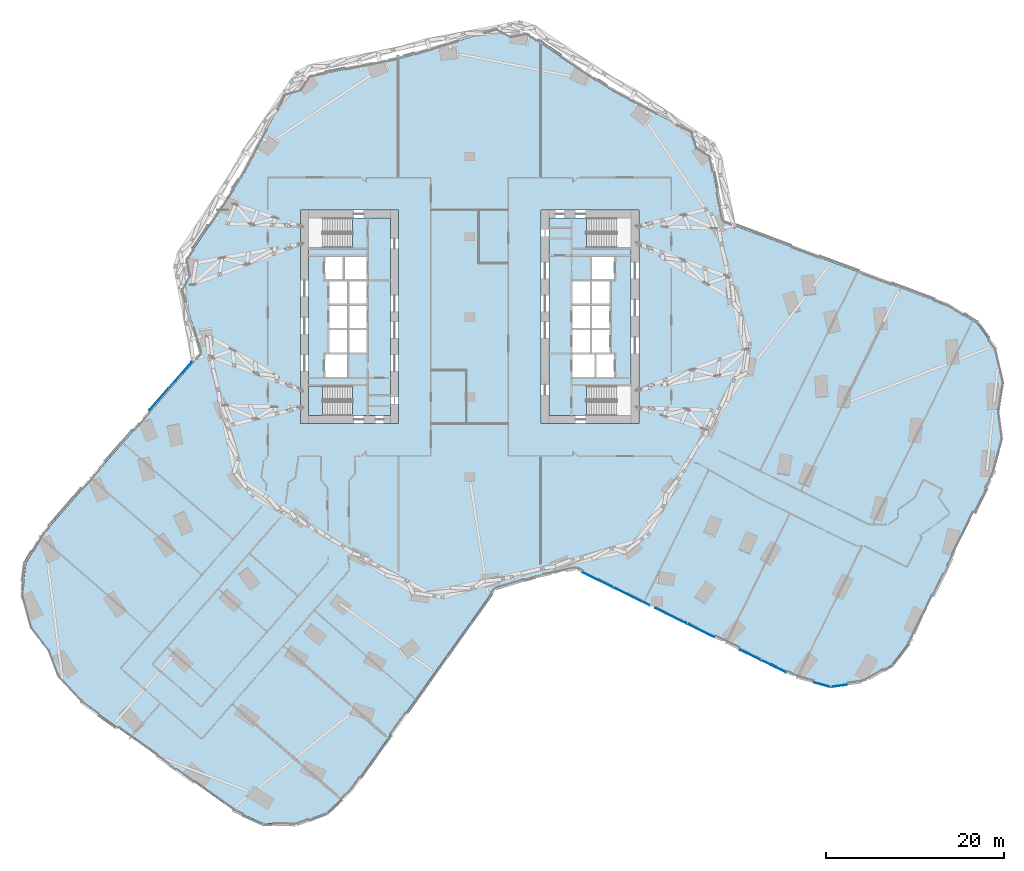
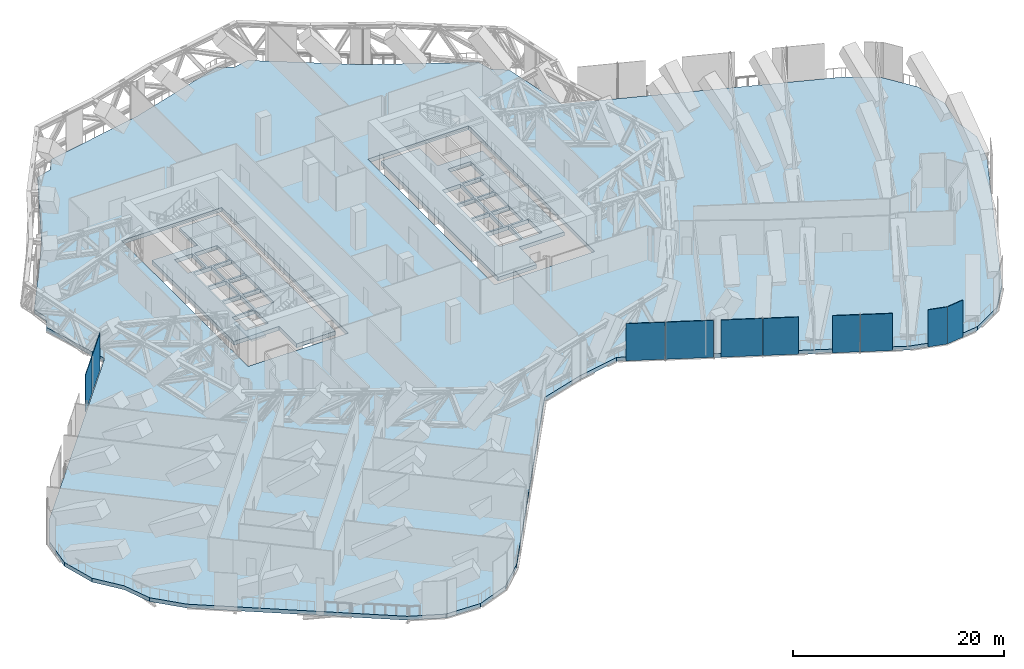
# One storey, part 19 of 34: 10 plates, 4 slabs, 5 elements without a shape of their own.
"""IFC4 building model written with IfcOpenShell, lengths in metres."""

from ifc_helpers import new_model, si_unit, direction, frame, origin, origin_2d, place, context, subcontext, project, spatial, polyline, rectangle, outline, extrude, material, layer, layer_set, type_object, element, aggregate, save


model = new_model("IFC4")

# Units and contexts
model_context = context("Model", 3, precision=1e-05, world=origin(), true_north=direction((0.0, 1.0)))
body_context = subcontext(model_context, "Body", "Model", "MODEL_VIEW")
ifc_project = project(units=[si_unit("LENGTHUNIT", "METRE"), si_unit("AREAUNIT", "SQUARE_METRE"), si_unit("VOLUMEUNIT", "CUBIC_METRE"), si_unit("PLANEANGLEUNIT", "RADIAN"), si_unit("MASSUNIT", "GRAM", prefix="KILO")], contexts=[model_context])

# Site, building, storey
site_placement = place(None, origin())
site = spatial("IfcSite", under=ifc_project, at=site_placement, CompositionType="ELEMENT")
building_placement = place(site_placement, origin())
building = spatial("IfcBuilding", under=site, at=building_placement, Name="Orlundy Tower", CompositionType="ELEMENT")
storey_placement = place(building_placement, frame((0.0, 0.0, 76.300048828125)))
storey = spatial("IfcBuildingStorey", under=building, at=storey_placement, Name="L18", CompositionType="ELEMENT", Elevation=76.300048828125)

# Curtain wall, plate
ifc_material_1 = material(Name="Aluminium bronze anodised", Category="aluminium")
curtain_wall_type = type_object("IfcCurtainWallType", Name="CW4 wall", PredefinedType="NOTDEFINED", material=ifc_material_1)
curtain_wall_1_placement = place(storey_placement, origin())
curtain_wall_1 = element("IfcCurtainWall", 1, at=curtain_wall_1_placement, inside=storey, type_object=curtain_wall_type, Name="CW4 run 025", PredefinedType="NOTDEFINED")
ifc_material_2 = material(Name="Louvre aluminium bronze anodised", Category="aluminium")
ifc_layer_1 = layer(ifc_material_2, 0.06005859375)
ifc_layer_set_1 = layer_set([ifc_layer_1], Name="CW4 louvre panel 60")
plate_type = type_object("IfcPlateType", Name="CW4 louvre panel 60", PredefinedType="CURTAIN_PANEL", material=ifc_layer_set_1)
plate_1_placement = place(storey_placement, frame((41.435546875, -41.446533203125, -0.30029296875), z_axis=(0.0, 0.0, 1.0), x_axis=(-0.991227900682, -0.132163720098, 0.0)))
plate_1 = element("IfcPlate", 2, at=plate_1_placement, type_object=plate_type, Name="CW4 louvre", PredefinedType="CURTAIN_PANEL", context=body_context, shape_type="SweptSolid", body=[
    extrude(rectangle(XDim=1.83935546875, YDim=0.06005859375, at=origin_2d()), origin(), (0.0, 0.0, 1.0), 4.300048828125),
])
aggregate(curtain_wall_1, [plate_1])

curtain_wall_2_placement = place(storey_placement, origin())
curtain_wall_2 = element("IfcCurtainWall", 3, at=curtain_wall_2_placement, inside=storey, type_object=curtain_wall_type, Name="CW4 run 026", PredefinedType="NOTDEFINED")
plate_2_placement = place(storey_placement, frame((39.606689453125, -41.323486328125, -0.30029296875), z_axis=(0.0, 0.0, 1.0), x_axis=(-0.966230461093, 0.25767944438, 0.0)))
plate_2 = element("IfcPlate", 4, at=plate_2_placement, type_object=plate_type, Name="CW4 louvre", PredefinedType="CURTAIN_PANEL", context=body_context, shape_type="SweptSolid", body=[
    extrude(rectangle(XDim=1.898681640625, YDim=0.06005859375, at=origin_2d()), origin(), (0.0, 0.0, 1.0), 4.300048828125),
])
aggregate(curtain_wall_2, [plate_2])

# Curtain wall, plates
curtain_wall_3_placement = place(storey_placement, origin())
curtain_wall_3 = element("IfcCurtainWall", 5, at=curtain_wall_3_placement, inside=storey, type_object=curtain_wall_type, Name="CW4 run 027", PredefinedType="NOTDEFINED")
plate_3_placement = place(storey_placement, frame((34.125, -39.239501953125, -0.30029296875), z_axis=(0.0, 0.0, 1.0), x_axis=(-0.897522339484, 0.440968989984, 0.0)))
plate_3 = element("IfcPlate", 6, at=plate_3_placement, type_object=plate_type, Name="CW4 louvre", PredefinedType="CURTAIN_PANEL", context=body_context, shape_type="SweptSolid", body=[
    extrude(rectangle(XDim=3.064453125, YDim=0.06005859375, at=origin_2d()), origin(), (0.0, 0.0, 1.0), 4.300048828125),
])
plate_4_placement = place(storey_placement, frame((31.534423828125, -37.966552734375, -0.30029296875), z_axis=(0.0, 0.0, 1.0), x_axis=(-0.897522339484, 0.440968989984, 0.0)))
plate_4 = element("IfcPlate", 7, at=plate_4_placement, type_object=plate_type, Name="CW4 louvre", PredefinedType="CURTAIN_PANEL", context=body_context, shape_type="SweptSolid", body=[
    extrude(rectangle(XDim=2.588623046875, YDim=0.06005859375, at=origin_2d()), origin(), (0.0, 0.0, 1.0), 4.300048828125),
])
plate_5_placement = place(storey_placement, frame((25.956787109375, -35.226318359375, -0.30029296875), z_axis=(0.0, 0.0, 1.0), x_axis=(-0.897522339484, 0.440968989984, 0.0)))
plate_5 = element("IfcPlate", 8, at=plate_5_placement, type_object=plate_type, Name="CW4 louvre", PredefinedType="CURTAIN_PANEL", context=body_context, shape_type="SweptSolid", body=[
    extrude(rectangle(XDim=3.385498046875, YDim=0.06005859375, at=origin_2d()), origin(), (0.0, 0.0, 1.0), 4.300048828125),
])
plate_6_placement = place(storey_placement, frame((22.613525390625, -33.583740234375, -0.30029296875), z_axis=(0.0, 0.0, 1.0), x_axis=(-0.897522339484, 0.440968989984, 0.0)))
plate_6 = element("IfcPlate", 9, at=plate_6_placement, type_object=plate_type, Name="CW4 louvre", PredefinedType="CURTAIN_PANEL", context=body_context, shape_type="SweptSolid", body=[
    extrude(rectangle(XDim=3.9443359375, YDim=0.06005859375, at=origin_2d()), origin(), (0.0, 0.0, 1.0), 4.300048828125),
])
plate_7_placement = place(storey_placement, frame((18.1689453125, -31.400146484375, -0.30029296875), z_axis=(0.0, 0.0, 1.0), x_axis=(-0.897522339484, 0.440968989984, 0.0)))
plate_7 = element("IfcPlate", 10, at=plate_7_placement, type_object=plate_type, Name="CW4 louvre", PredefinedType="CURTAIN_PANEL", context=body_context, shape_type="SweptSolid", body=[
    extrude(rectangle(XDim=4.5546875, YDim=0.06005859375, at=origin_2d()), origin(), (0.0, 0.0, 1.0), 4.300048828125),
])
plate_8_placement = place(storey_placement, frame((14.40673828125, -29.551513671875, -0.30029296875), z_axis=(0.0, 0.0, 1.0), x_axis=(-0.897522339484, 0.440968989984, 0.0)))
plate_8 = element("IfcPlate", 11, at=plate_8_placement, type_object=plate_type, Name="CW4 louvre", PredefinedType="CURTAIN_PANEL", context=body_context, shape_type="SweptSolid", body=[
    extrude(rectangle(XDim=3.709228515625, YDim=0.06005859375, at=origin_2d()), origin(), (0.0, 0.0, 1.0), 4.300048828125),
])
aggregate(curtain_wall_3, [plate_3, plate_4, plate_5, plate_6, plate_7, plate_8])

curtain_wall_4_placement = place(storey_placement, origin())
curtain_wall_4 = element("IfcCurtainWall", 12, at=curtain_wall_4_placement, inside=storey, type_object=curtain_wall_type, Name="CW4 run 042", PredefinedType="NOTDEFINED")
plate_9_placement = place(storey_placement, frame((-34.89306640625, -9.26318359375, -0.30029296875), z_axis=(0.0, 0.0, 1.0), x_axis=(0.658266898078, 0.752784624507, 0.0)))
plate_9 = element("IfcPlate", 13, at=plate_9_placement, type_object=plate_type, Name="CW4 louvre", PredefinedType="CURTAIN_PANEL", context=body_context, shape_type="SweptSolid", body=[
    extrude(rectangle(XDim=3.1923828125, YDim=0.06005859375, at=origin_2d()), origin(), (0.0, 0.0, 1.0), 4.300048828125),
])
plate_10_placement = place(storey_placement, frame((-32.50830078125, -6.5361328125, -0.30029296875), z_axis=(0.0, 0.0, 1.0), x_axis=(0.658266898078, 0.752784624507, 0.0)))
plate_10 = element("IfcPlate", 14, at=plate_10_placement, type_object=plate_type, Name="CW4 louvre", PredefinedType="CURTAIN_PANEL", context=body_context, shape_type="SweptSolid", body=[
    extrude(rectangle(XDim=3.93310546875, YDim=0.06005859375, at=origin_2d()), origin(), (0.0, 0.0, 1.0), 4.300048828125),
])
aggregate(curtain_wall_4, [plate_9, plate_10])

# Slabs
ifc_material_3 = material(Name="Concrete C50/60", Category="concrete")
ifc_layer_2 = layer(ifc_material_3, 0.449951171875)
ifc_layer_set_2 = layer_set([ifc_layer_2], Name="Core Floor Slab 450")
slab_type_1 = type_object("IfcSlabType", Name="Core Floor Slab 450", PredefinedType="FLOOR", material=ifc_layer_set_2)
slab_1_placement = place(storey_placement, frame((0.0, 0.0, -0.449951171875)))
element("IfcSlab", 15, at=slab_1_placement, inside=storey, type_object=slab_type_1, Name="Core floor W15", PredefinedType="FLOOR", context=body_context, shape_type="SweptSolid", body=[
    extrude(outline(polyline([(-13.14501953125, 7.75), (-13.14501953125, 11.10009765625), (-8.89990234375, 11.10009765625), (-8.89990234375, -11.10009765625), (-13.14501953125, -11.10009765625), (-13.14501953125, -7.75), (-18.10009765625, -7.75), (-18.10009765625, 7.75), (-13.14501953125, 7.75)]), holes=[polyline([(-16.239990234375, -6.77490234375), (-13.739990234375, -6.77490234375), (-13.739990234375, -4.22509765625), (-16.239990234375, -4.22509765625), (-16.239990234375, -6.77490234375)]), polyline([(-13.5400390625, -1.47509765625), (-13.5400390625, -4.02490234375), (-11.5400390625, -4.02490234375), (-11.5400390625, -1.47509765625), (-13.5400390625, -1.47509765625)]), polyline([(-13.739990234375, -1.47509765625), (-15.739990234375, -1.47509765625), (-15.739990234375, -4.02490234375), (-13.739990234375, -4.02490234375), (-13.739990234375, -1.47509765625)]), polyline([(-11.5400390625, -1.27490234375), (-11.5400390625, 1.27490234375), (-13.5400390625, 1.27490234375), (-13.5400390625, -1.27490234375), (-11.5400390625, -1.27490234375)]), polyline([(-15.739990234375, -1.27490234375), (-13.739990234375, -1.27490234375), (-13.739990234375, 1.27490234375), (-15.739990234375, 1.27490234375), (-15.739990234375, -1.27490234375)]), polyline([(-13.5400390625, 4.02490234375), (-13.5400390625, 1.47509765625), (-11.5400390625, 1.47509765625), (-11.5400390625, 4.02490234375), (-13.5400390625, 4.02490234375)]), polyline([(-13.739990234375, 4.02490234375), (-15.739990234375, 4.02490234375), (-15.739990234375, 1.47509765625), (-13.739990234375, 1.47509765625), (-13.739990234375, 4.02490234375)]), polyline([(-11.5400390625, 4.22509765625), (-11.5400390625, 6.77490234375), (-14.0400390625, 6.77490234375), (-14.0400390625, 4.22509765625), (-11.5400390625, 4.22509765625)]), polyline([(-16.239990234375, 4.22509765625), (-14.239990234375, 4.22509765625), (-14.239990234375, 6.77490234375), (-16.239990234375, 6.77490234375), (-16.239990234375, 4.22509765625)])]), origin(), (0.0, 0.0, 1.0), 0.449951171875),
])
slab_2_placement = place(storey_placement, frame((0.0, 0.0, -0.449951171875)))
element("IfcSlab", 16, at=slab_2_placement, inside=storey, type_object=slab_type_1, Name="Core floor E15", PredefinedType="FLOOR", context=body_context, shape_type="SweptSolid", body=[
    extrude(outline(polyline([(13.14501953125, -7.75), (13.14501953125, -11.10009765625), (8.89990234375, -11.10009765625), (8.89990234375, 11.10009765625), (13.14501953125, 11.10009765625), (13.14501953125, 7.75), (18.10009765625, 7.75), (18.10009765625, -7.75), (13.14501953125, -7.75)]), holes=[polyline([(16.239990234375, 6.77490234375), (13.739990234375, 6.77490234375), (13.739990234375, 4.22509765625), (16.239990234375, 4.22509765625), (16.239990234375, 6.77490234375)]), polyline([(13.5400390625, 1.47509765625), (13.5400390625, 4.02490234375), (11.5400390625, 4.02490234375), (11.5400390625, 1.47509765625), (13.5400390625, 1.47509765625)]), polyline([(13.739990234375, 1.47509765625), (15.739990234375, 1.47509765625), (15.739990234375, 4.02490234375), (13.739990234375, 4.02490234375), (13.739990234375, 1.47509765625)]), polyline([(11.5400390625, 1.27490234375), (11.5400390625, -1.27490234375), (13.5400390625, -1.27490234375), (13.5400390625, 1.27490234375), (11.5400390625, 1.27490234375)]), polyline([(15.739990234375, 1.27490234375), (13.739990234375, 1.27490234375), (13.739990234375, -1.27490234375), (15.739990234375, -1.27490234375), (15.739990234375, 1.27490234375)]), polyline([(13.5400390625, -4.02490234375), (13.5400390625, -1.47509765625), (11.5400390625, -1.47509765625), (11.5400390625, -4.02490234375), (13.5400390625, -4.02490234375)]), polyline([(13.739990234375, -4.02490234375), (15.739990234375, -4.02490234375), (15.739990234375, -1.47509765625), (13.739990234375, -1.47509765625), (13.739990234375, -4.02490234375)]), polyline([(11.5400390625, -4.22509765625), (11.5400390625, -6.77490234375), (14.0400390625, -6.77490234375), (14.0400390625, -4.22509765625), (11.5400390625, -4.22509765625)]), polyline([(16.239990234375, -4.22509765625), (14.239990234375, -4.22509765625), (14.239990234375, -6.77490234375), (16.239990234375, -6.77490234375), (16.239990234375, -4.22509765625)])]), origin(), (0.0, 0.0, 1.0), 0.449951171875),
])

# Stair, slab
ifc_material_4 = material(Name="Concrete C50/60", Category="concrete")
stair_type = type_object("IfcStairType", Name="Exit Stair 26 risers", PredefinedType="HALF_TURN_STAIR", material=ifc_material_4)
stair_placement = place(storey_placement, origin())
stair = element("IfcStair", 17, at=stair_placement, inside=storey, type_object=stair_type, Name="L18 Exit Stair ST-W2", PredefinedType="HALF_TURN_STAIR")
ifc_material_5 = material(Name="Concrete C50/60", Category="concrete")
ifc_layer_3 = layer(ifc_material_5, 0.199951171875)
ifc_layer_set_3 = layer_set([ifc_layer_3], Name="Exit Stair Landing")
slab_type_2 = type_object("IfcSlabType", Name="Exit Stair Landing", PredefinedType="LANDING", material=ifc_layer_set_3)
slab_3_placement = place(storey_placement, frame((0.0, 0.0, 2.0)))
slab_3 = element("IfcSlab", 18, at=slab_3_placement, type_object=slab_type_2, Name="ST-W2 landing 1", PredefinedType="LANDING", context=body_context, shape_type="SweptSolid", body=[
    extrude(outline(polyline([(-16.5, -7.75), (-18.10009765625, -7.75), (-18.10009765625, -11.10009765625), (-16.5, -11.10009765625), (-16.5, -7.75)])), origin(), (0.0, 0.0, 1.0), 0.199951171875),
])
aggregate(stair, [slab_3])

# Slab
ifc_material_6 = material(Name="Concrete C45/55", Category="concrete")
ifc_layer_4 = layer(ifc_material_6, 0.449951171875)
ifc_layer_set_4 = layer_set([ifc_layer_4], Name="PLANT FLOOR SLAB 450 C45/55")
slab_type_3 = type_object("IfcSlabType", Name="PLANT FLOOR SLAB 450 C45/55", PredefinedType="FLOOR", material=ifc_layer_set_4)
slab_4_placement = place(storey_placement, frame((0.0, 0.0, -0.449951171875)))
element("IfcSlab", 19, at=slab_4_placement, inside=storey, type_object=slab_type_3, Name="Floor slab L18", PredefinedType="FLOOR", context=body_context, shape_type="SweptSolid", body=[
    extrude(outline(polyline([(-31.52197265625, 4.616943359375), (-31.85693359375, 6.2890625), (-25.7900390625, 15.39697265625), (-20.655029296875, 25.055908203125), (-19.02490234375, 25.553955078125), (-18.080078125, 26.972900390625), (-7.35107421875, 29.123046875), (3.112060546875, 32.322021484375), (4.616943359375, 31.52197265625), (6.2890625, 31.85693359375), (15.39697265625, 25.7900390625), (25.055908203125, 20.655029296875), (25.553955078125, 19.02490234375), (26.972900390625, 18.080078125), (28.448974609375, 10.715087890625), (53.837890625, 1.222900390625), (56.989990234375, -0.72705078125), (59.155029296875, -3.736083984375), (60.0048828125, -7.343994140625), (59.47509765625, -10.59912109375), (59.884033203125, -13.674072265625), (58.929931640625, -17.256103515625), (49.6689453125, -36.10302734375), (47.4169921875, -39.047119140625), (44.2099609375, -40.905029296875), (40.534912109375, -41.39501953125), (36.9541015625, -40.43994140625), (12.01708984375, -28.18798828125), (7.35009765625, -29.123046875), (2.801025390625, -30.513916015625), (-13.333984375, -53.134033203125), (-16.032958984375, -55.674072265625), (-19.5, -56.987060546875), (-23.205078125, -56.8740234375), (-26.583984375, -55.35107421875), (-43.680908203125, -43.156982421875), (-46.220947265625, -40.45703125), (-47.320068359375, -37.554931640625), (-49.3310546875, -34.94189453125), (-50.2958984375, -31.363037109375), (-49.81689453125, -27.68798828125), (-47.968994140625, -24.47509765625), (-30.1259765625, -4.070068359375), (-32.322021484375, 3.112060546875), (-31.52197265625, 4.616943359375)]), holes=[polyline([(-8.0, -12.0), (-8.0, 12.0), (-19.0, 12.0), (-19.0, -12.0), (-8.0, -12.0)]), polyline([(19.0, -12.0), (19.0, 12.0), (8.0, 12.0), (8.0, -12.0), (19.0, -12.0)])]), origin(), (0.0, 0.0, 1.0), 0.449951171875),
])

save(model, "model.ifc")
